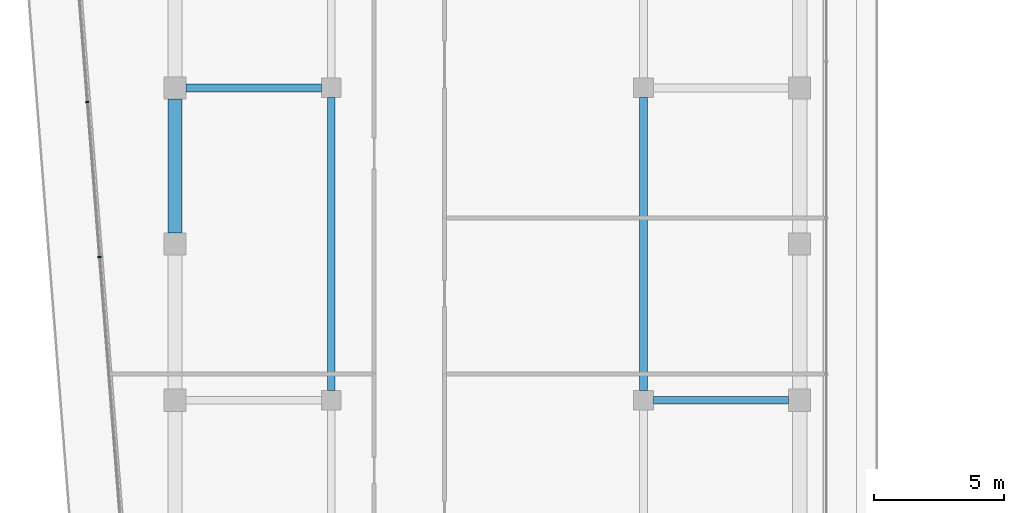
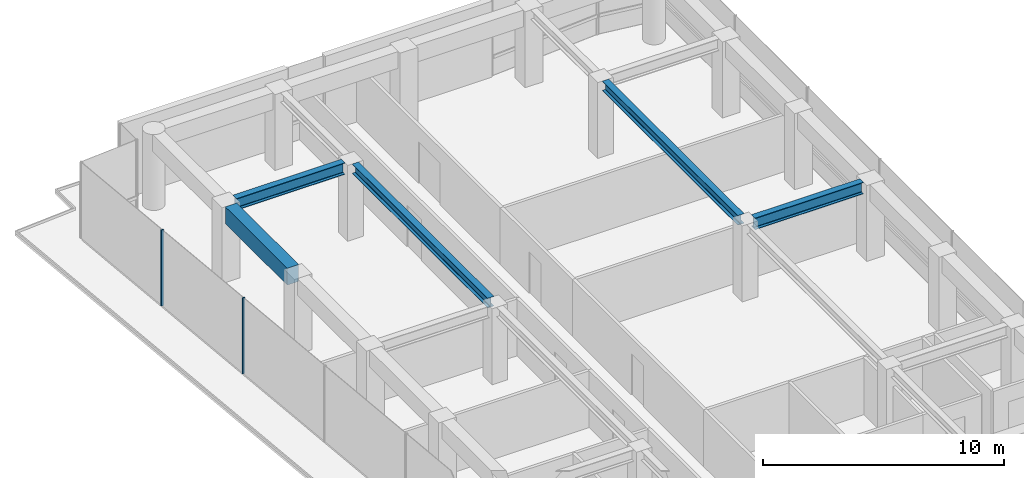
# One storey, part 13 of 23: 5 beams, 2 members, 1 element without a shape of its own.
"""IFC4 building model written with IfcOpenShell, lengths in metres."""

from ifc_helpers import new_model, si_unit, direction, frame, origin, origin_2d, place, context, subcontext, project, spatial, rectangle, i_section, extrude, material, layer, layer_set, material_profile, profile_set, type_object, element, aggregate, save


model = new_model("IFC4")

# Units and contexts
model_context = context("Model", 3, precision=1e-05, world=origin(), true_north=direction((0.0, 1.0)))
body_context = subcontext(model_context, "Body", "Model", "MODEL_VIEW")
ifc_project = project(units=[si_unit("LENGTHUNIT", "METRE"), si_unit("AREAUNIT", "SQUARE_METRE"), si_unit("VOLUMEUNIT", "CUBIC_METRE"), si_unit("PLANEANGLEUNIT", "RADIAN"), si_unit("MASSUNIT", "GRAM", prefix="KILO")], contexts=[model_context])

# Site, building, storey
site_placement = place(None, origin())
site = spatial("IfcSite", under=ifc_project, at=site_placement, CompositionType="ELEMENT")
building_placement = place(site_placement, origin())
building = spatial("IfcBuilding", under=site, at=building_placement, Name="Welwitschia Terrace Campus", CompositionType="ELEMENT")
storey_placement = place(building_placement, frame((0.0, 0.0, 188.60009765625)))
storey = spatial("IfcBuildingStorey", under=building, at=storey_placement, Name="L42", CompositionType="ELEMENT", Elevation=188.60009765625)

# Beams
ifc_material_1 = material(Name="Steel S355", Category="steel")
ifc_material_profile_1 = material_profile(ifc_material_1, i_section(OverallWidth=0.300048828125, OverallDepth=0.489990234375, WebThickness=0.011962890625, FlangeThickness=0.02294921875, FilletRadius=0.027099609375, at=origin_2d()))
ifc_profile_set_1 = profile_set([ifc_material_profile_1], Name="Steel S355")
beam_type_1 = type_object("IfcBeamType", Name="Interior girder HE 500 A", PredefinedType="BEAM", material=ifc_profile_set_1)
for number, where, z_axis, x_axis, name in (
    (1, (6.0, 44.37548828125, 3.60498046875), (0.0, 1.0, 0.0), (-1.0, 0.0, 0.0), "Girder GB4"),
    (2, (18.0, 44.37548828125, 3.60498046875), (0.0, 1.0, 0.0), (-1.0, 0.0, 0.0), "Girder GB4"),
):
    element("IfcBeam", number, at=place(storey_placement, frame(where, z_axis=z_axis, x_axis=x_axis)), inside=storey, type_object=beam_type_1, Name=name, PredefinedType="BEAM", context=body_context, shape_type="SweptSolid", body=[
        extrude(i_section(OverallWidth=0.300048828125, OverallDepth=0.489990234375, WebThickness=0.011962890625, FlangeThickness=0.02294921875, FilletRadius=0.027099609375, at=origin_2d()), origin(), (0.0, 0.0, 1.0), 11.2490234375),
    ])

# Curtain wall, members
ifc_material_2 = material(Name="Bronze anodised aluminium", Category="aluminium")
ifc_layer = layer(ifc_material_2, 0.1201171875)
ifc_layer_set = layer_set([ifc_layer], Name="Bronze anodised aluminium")
curtain_wall_type = type_object("IfcCurtainWallType", Name="Curtain wall CW2 tower 6000", PredefinedType="NOTDEFINED", material=ifc_layer_set)
curtain_wall_placement = place(storey_placement, origin())
curtain_wall = element("IfcCurtainWall", 3, at=curtain_wall_placement, inside=storey, type_object=curtain_wall_type, Name="CW L42.0.0", PredefinedType="NOTDEFINED")
ifc_material_3 = material(Name="Bronze anodised aluminium", Category="aluminium")
ifc_material_profile_2 = material_profile(ifc_material_3, rectangle(XDim=0.1201171875, YDim=0.06005859375, at=origin_2d()))
ifc_profile_set_2 = profile_set([ifc_material_profile_2], Name="Bronze anodised aluminium")
member_type = type_object("IfcMemberType", Name="Mullion 60x120", PredefinedType="MULLION", material=ifc_profile_set_2)
member_1_placement = place(storey_placement, frame((-3.372314453125, 55.455078125, 0.0), z_axis=(0.0, 0.0, 1.0), x_axis=(0.996917333733, 0.078459095728, 0.0)))
member_1 = element("IfcMember", 4, at=member_1_placement, type_object=member_type, Name="Mullion L42.0.0.1", PredefinedType="MULLION", context=body_context, shape_type="SweptSolid", body=[
    extrude(rectangle(XDim=0.1201171875, YDim=0.06005859375, at=origin_2d()), origin(), (0.0, 0.0, 1.0), 3.849853515625),
])
member_2_placement = place(storey_placement, frame((-2.90380859375, 49.502685546875, 0.0), z_axis=(0.0, 0.0, 1.0), x_axis=(0.996917333733, 0.078459095728, 0.0)))
member_2 = element("IfcMember", 5, at=member_2_placement, type_object=member_type, Name="Mullion L42.0.0.2", PredefinedType="MULLION", context=body_context, shape_type="SweptSolid", body=[
    extrude(rectangle(XDim=0.1201171875, YDim=0.06005859375, at=origin_2d()), origin(), (0.0, 0.0, 1.0), 3.849853515625),
])
aggregate(curtain_wall, [member_1, member_2])

# Beams
ifc_material_4 = material(Name="Steel S355", Category="steel")
ifc_material_profile_3 = material_profile(ifc_material_4, i_section(OverallWidth=0.300048828125, OverallDepth=0.590087890625, WebThickness=0.012939453125, FlangeThickness=0.02490234375, FilletRadius=0.027099609375, at=origin_2d()))
ifc_profile_set_3 = profile_set([ifc_material_profile_3], Name="Steel S355")
beam_type_2 = type_object("IfcBeamType", Name="Primary beam HE 600 A", PredefinedType="BEAM", material=ifc_profile_set_3)
for number, where, z_axis, x_axis, name in (
    (6, (23.574462890625, 44.0, 3.554931640625), (-1.0, 0.0, 0.0), (0.0, -1.0, 0.0), "Primary beam PB4"),
    (7, (0.425537109375, 56.0, 3.554931640625), (1.0, 0.0, 0.0), (0.0, 1.0, 0.0), "Primary beam PB4"),
):
    element("IfcBeam", number, at=place(storey_placement, frame(where, z_axis=z_axis, x_axis=x_axis)), inside=storey, type_object=beam_type_2, Name=name, PredefinedType="BEAM", context=body_context, shape_type="SweptSolid", body=[
        extrude(i_section(OverallWidth=0.300048828125, OverallDepth=0.590087890625, WebThickness=0.012939453125, FlangeThickness=0.02490234375, FilletRadius=0.027099609375, at=origin_2d()), origin(), (0.0, 0.0, 1.0), 5.198974609375),
    ])
ifc_material_5 = material(Name="Concrete C50/60", Category="concrete")
ifc_material_profile_4 = material_profile(ifc_material_5, rectangle(XDim=0.550048828125, YDim=0.85009765625, at=origin_2d()))
ifc_profile_set_4 = profile_set([ifc_material_profile_4], Name="Concrete C50/60")
beam_type_3 = type_object("IfcBeamType", Name="Ring spandrel 550x850", PredefinedType="SPANDREL", material=ifc_profile_set_4)
beam_placement = place(storey_placement, frame((0.0, 55.574462890625, 3.4248046875), z_axis=(0.0, -1.0, 0.0), x_axis=(1.0, 0.0, 0.0)))
element("IfcBeam", 8, at=beam_placement, inside=storey, type_object=beam_type_3, Name="Spandrel SP3", PredefinedType="SPANDREL", context=body_context, shape_type="SweptSolid", body=[
    extrude(rectangle(XDim=0.550048828125, YDim=0.85009765625, at=origin_2d()), origin(), (0.0, 0.0, 1.0), 5.14892578125),
])

save(model, "model.ifc")
